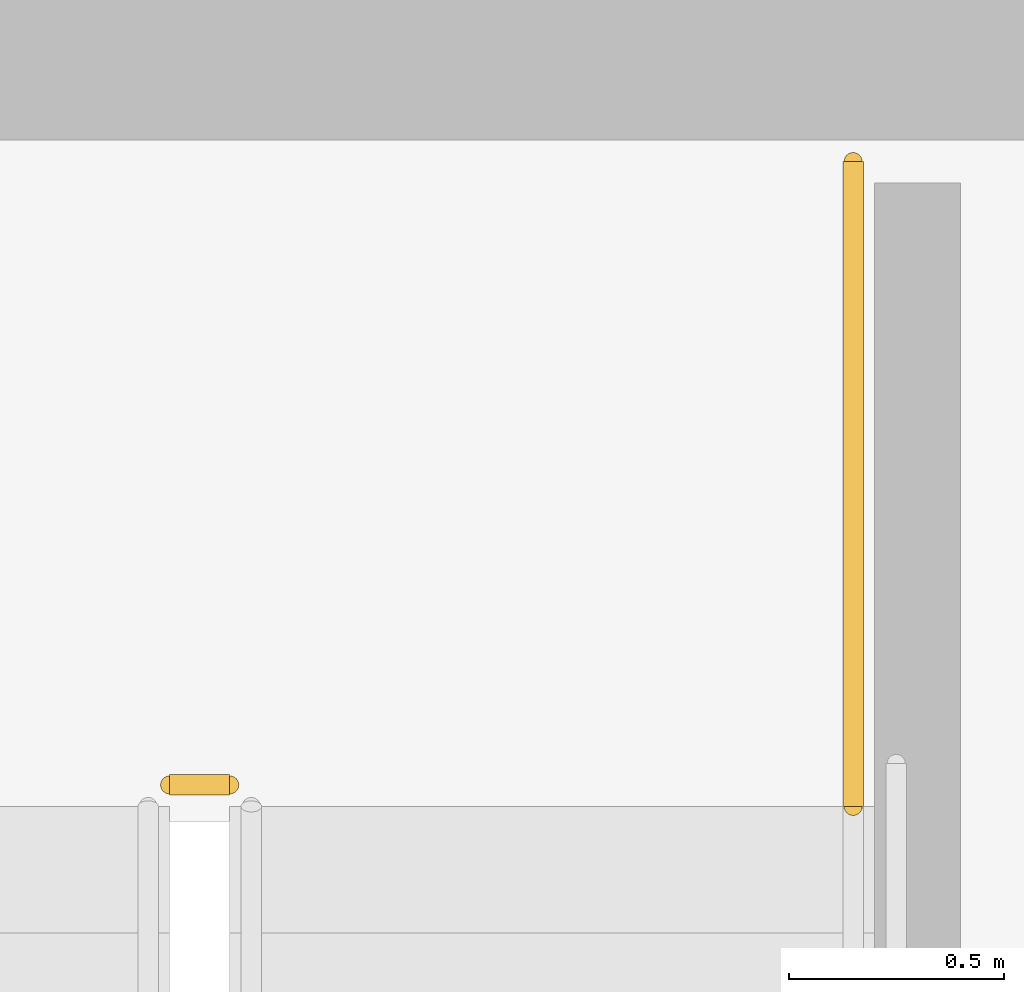
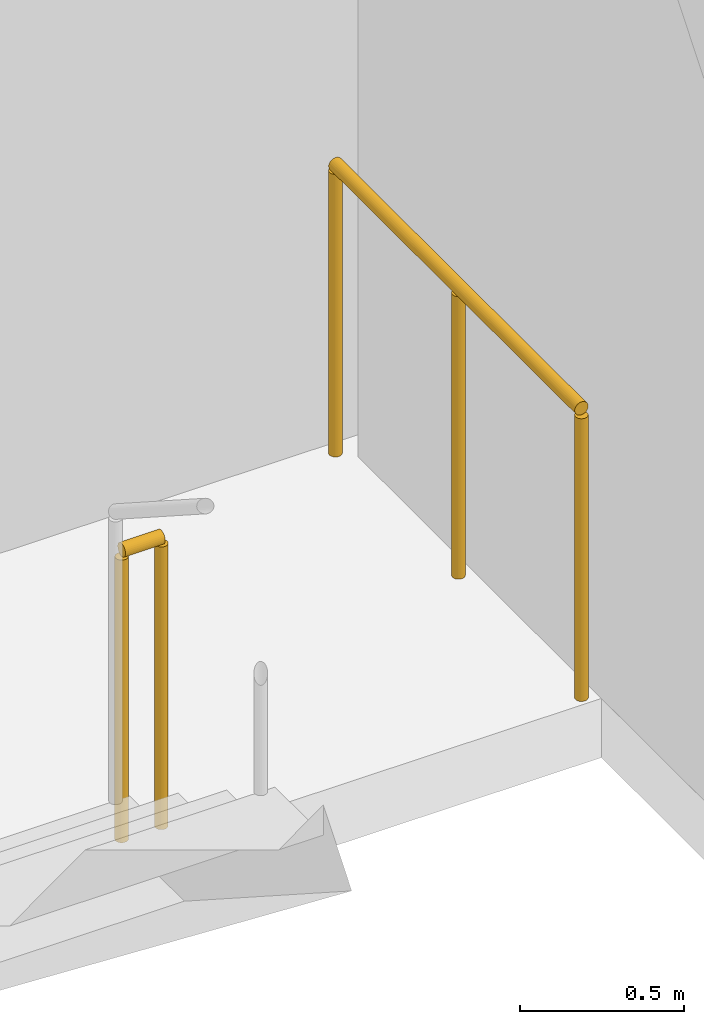
# One storey, part 33 of 33: 2 railings.
"""IFC4 building model written with IfcOpenShell, lengths in metres."""

from ifc_helpers import new_model, si_unit, direction, frame, origin, origin_2d, place, context, subcontext, project, spatial, circle, extrude, material, layer, layer_set, type_object, element, save


model = new_model("IFC4")

# Units and contexts
model_context = context("Model", 3, precision=1e-05, world=origin(), true_north=direction((0.0, 1.0)))
body_context = subcontext(model_context, "Body", "Model", "MODEL_VIEW")
ifc_project = project(units=[si_unit("LENGTHUNIT", "METRE"), si_unit("AREAUNIT", "SQUARE_METRE"), si_unit("VOLUMEUNIT", "CUBIC_METRE"), si_unit("PLANEANGLEUNIT", "RADIAN"), si_unit("MASSUNIT", "GRAM", prefix="KILO")], contexts=[model_context])

# Site, building, storey
site_placement = place(None, origin())
site = spatial("IfcSite", under=ifc_project, at=site_placement, CompositionType="ELEMENT")
building_placement = place(site_placement, origin())
building = spatial("IfcBuilding", under=site, at=building_placement, Name="Ndaravel Arena Tower", CompositionType="ELEMENT")
storey_placement = place(building_placement, frame((0.0, 0.0, 168.800048828125)))
storey = spatial("IfcBuildingStorey", under=building, at=storey_placement, Name="L40", CompositionType="ELEMENT", Elevation=168.800048828125)

# Railings
ifc_material = material(Name="Steel S355", Category="steel")
ifc_layer = layer(ifc_material, 0.06005859375)
ifc_layer_set = layer_set([ifc_layer], Name="Steel S355")
railing_type = type_object("IfcRailingType", Name="RAIL-STAIR-GD1100", PredefinedType="GUARDRAIL", material=ifc_layer_set)
railing_1_placement = place(storey_placement, frame((55.10009765625, 13.300048828125, 0.0)))
element("IfcRailing", 1, at=railing_1_placement, inside=storey, type_object=railing_type, Name="L40 ST-3 stair guard 4", PredefinedType="GUARDRAIL", context=body_context, shape_type="SweptSolid", body=[
    extrude(circle(Radius=0.02392578125, at=origin_2d()), frame((0.0, 0.0, 1.076171875), z_axis=(1.0, 0.0, 0.0), x_axis=(0.0, 1.0, 0.0)), (0.0, 0.0, 1.0), 0.139892578125),
    extrude(circle(Radius=0.02099609375, at=origin_2d()), origin(), (0.0, 0.0, 1.0), 1.052001953125),
    extrude(circle(Radius=0.02099609375, at=origin_2d()), frame((0.139892578125, 0.0, 0.0)), (0.0, 0.0, 1.0), 1.052001953125),
])
railing_2_placement = place(storey_placement, frame((56.68994140625, 14.75, 0.0)))
element("IfcRailing", 2, at=railing_2_placement, inside=storey, type_object=railing_type, Name="L40 ST-3 stair guard 5", PredefinedType="GUARDRAIL", context=body_context, shape_type="SweptSolid", body=[
    extrude(circle(Radius=0.02392578125, at=origin_2d()), frame((0.0, 0.0, 1.076171875), z_axis=(0.0, -1.0, 0.0), x_axis=(1.0, 0.0, 0.0)), (0.0, 0.0, 1.0), 1.5),
    extrude(circle(Radius=0.02099609375, at=origin_2d()), origin(), (0.0, 0.0, 1.0), 1.052001953125),
    extrude(circle(Radius=0.02099609375, at=origin_2d()), frame((0.0, -0.75, 0.0)), (0.0, 0.0, 1.0), 1.052001953125),
    extrude(circle(Radius=0.02099609375, at=origin_2d()), frame((0.0, -1.5, 0.0)), (0.0, 0.0, 1.0), 1.052001953125),
])

save(model, "model.ifc")
